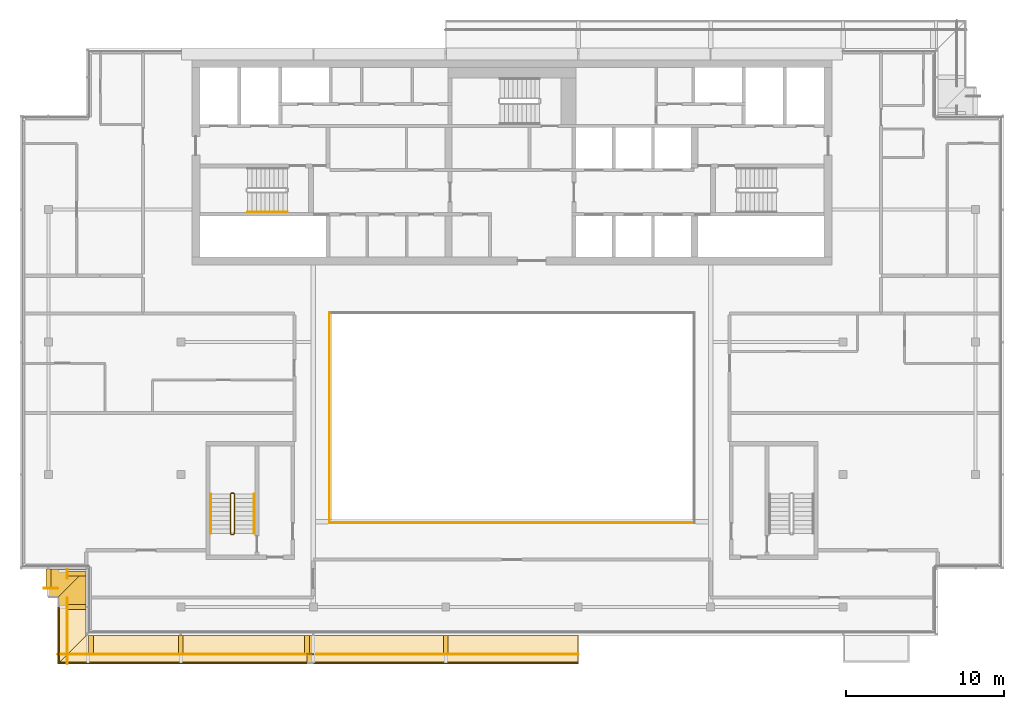
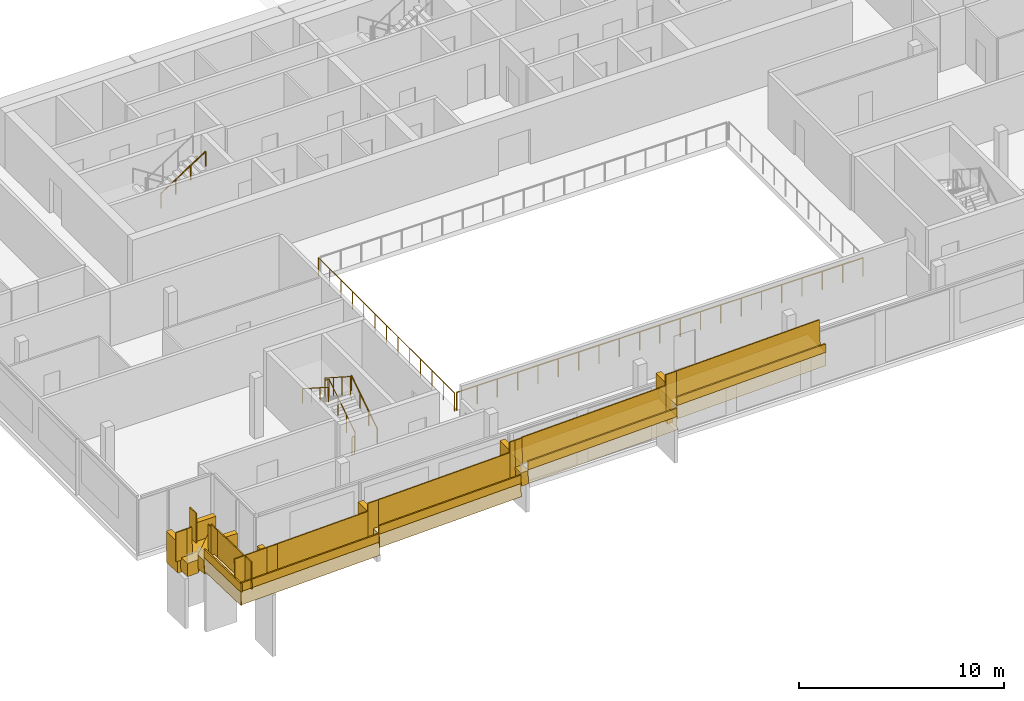
# One storey, part 18 of 22: 21 railings, 20 coverings.
"""IFC4 building model written with IfcOpenShell, lengths in metres."""

import ifcopenshell
import ifcopenshell.guid

model = None  # the IFC model being written
_history = None  # IfcOwnerHistory: only IFC2X3 demands one
_inside = {}  # id of a spatial element -> (the spatial element, [elements in it])
_under = {}  # id of a project, library or spatial element -> (it, [spatial elements below it])
_declared = {}  # id of a project -> (the project, [libraries it declares])
_typed = {}  # id of a type object -> (the type object, [elements of that type])
_made_of = {}  # id of a material, layer set ... -> (it, [elements and type objects made of it])


def new_model(schema):
    """Start an empty IFC model of exactly this schema.

    Asked for "IFC4X3", IfcOpenShell would pick the latest addendum, in which some entities
    have other attributes; the version numbers below select the first issue.
    IFC2X3 requires an IfcOwnerHistory on every rooted entity: one is made here for all.
    """
    global model, _history
    if schema == "IFC4X3":
        model = ifcopenshell.file(schema_version=(4, 3, 0, 0))
    else:
        model = ifcopenshell.file(schema=schema)
    _inside.clear()
    _under.clear()
    _declared.clear()
    _typed.clear()
    _made_of.clear()
    _history = None
    if model.schema == "IFC2X3":
        org = make("IfcOrganization", Name="unknown")
        user = make(
            "IfcPersonAndOrganization",
            ThePerson=make("IfcPerson", FamilyName="unknown"),
            TheOrganization=org,
        )
        app = make(
            "IfcApplication",
            ApplicationDeveloper=org,
            Version="unknown",
            ApplicationFullName="unknown",
            ApplicationIdentifier="unknown",
        )
        _history = make(
            "IfcOwnerHistory",
            OwningUser=user,
            OwningApplication=app,
            ChangeAction="ADDED",
            CreationDate=0,
        )
    return model


def make(cls, **values):
    """One entity of the class cls with the attributes given. An attribute that is None is left unset."""
    return model.create_entity(
        cls, **{name: value for name, value in values.items() if value is not None}
    )


def rooted(cls, **values):
    """An entity with a GlobalId (a new one), such as an element, a storey or a relation."""
    return make(cls, GlobalId=ifcopenshell.guid.new(), OwnerHistory=_history, **values)


def si_unit(unit_type, name, prefix=None):
    """IfcSIUnit, for example si_unit("LENGTHUNIT", "METRE", prefix="MILLI")."""
    return make("IfcSIUnit", UnitType=unit_type, Prefix=prefix, Name=name)


def assignment(units):
    """IfcUnitAssignment: the units of a project."""
    return None if units is None else make("IfcUnitAssignment", Units=units)


def point(xyz):
    """IfcCartesianPoint."""
    return None if xyz is None else make("IfcCartesianPoint", Coordinates=xyz)


def direction(xyz):
    """IfcDirection."""
    return None if xyz is None else make("IfcDirection", DirectionRatios=xyz)


def frame(location, z_axis=None, x_axis=None):
    """IfcAxis2Placement3D, a coordinate frame: its origin and axes. An axis left out is left unset."""
    return make(
        "IfcAxis2Placement3D",
        Location=point(location),
        Axis=direction(z_axis),
        RefDirection=direction(x_axis),
    )


def frame_2d(location, x_axis=None):
    """IfcAxis2Placement2D, a coordinate frame in the plane: its origin and x axis."""
    return make(
        "IfcAxis2Placement2D", Location=point(location), RefDirection=direction(x_axis)
    )


def origin():
    """The frame at (0, 0, 0) with its axes left unset."""
    return frame((0.0, 0.0, 0.0))


def origin_2d():
    """The frame at (0, 0) in the plane with its x axis left unset."""
    return frame_2d((0.0, 0.0))


def place(relative_to, where):
    """IfcLocalPlacement: puts the frame where relative to a parent placement (None: the world)."""
    return make(
        "IfcLocalPlacement", PlacementRelTo=relative_to, RelativePlacement=where
    )


def context(
    kind, dimensions, precision=None, world=None, true_north=None, identifier=None
):
    """IfcGeometricRepresentationContext, for example the 3D "Model" context."""
    return make(
        "IfcGeometricRepresentationContext",
        ContextIdentifier=identifier,
        ContextType=kind,
        CoordinateSpaceDimension=dimensions,
        Precision=precision,
        WorldCoordinateSystem=world,
        TrueNorth=true_north,
    )


def subcontext(parent, identifier, kind, view, scale=None):
    """IfcGeometricRepresentationSubContext, for example "Body" below "Model"."""
    return make(
        "IfcGeometricRepresentationSubContext",
        ContextIdentifier=identifier,
        ContextType=kind,
        ParentContext=parent,
        TargetScale=scale,
        TargetView=view,
    )


def project(units=None, contexts=None):
    """IfcProject with its units and contexts."""
    return rooted(
        "IfcProject",
        Name="project",
        RepresentationContexts=contexts,
        UnitsInContext=assignment(units),
    )


def spatial(cls, under=None, at=None, **own):
    """A site, building, storey or space (cls), placed at a placement, below another one or the project."""
    s = rooted(cls, ObjectPlacement=at, **own)
    if under is not None:
        _under.setdefault(under.id(), (under, []))[1].append(s)
    return s


def polyline(points):
    """IfcPolyline through the points."""
    return make("IfcPolyline", Points=[point(p) for p in points])


def profile(cls, at=None, kind="AREA", **sizes):
    """A parametric profile (cls). Its sizes go by their IFC names, for example OverallWidth=200.0."""
    return make(cls, ProfileType=kind, Position=at, **sizes)


def rectangle(**sizes):
    """IfcRectangleProfileDef."""
    return profile("IfcRectangleProfileDef", **sizes)


def circle(**sizes):
    """IfcCircleProfileDef."""
    return profile("IfcCircleProfileDef", **sizes)


def outline(outer, holes=None, kind="AREA"):
    """IfcArbitraryClosedProfileDef: a profile drawn as a closed curve; with holes, ...WithVoids."""
    if holes is None:
        return make("IfcArbitraryClosedProfileDef", ProfileType=kind, OuterCurve=outer)
    return make(
        "IfcArbitraryProfileDefWithVoids",
        ProfileType=kind,
        OuterCurve=outer,
        InnerCurves=holes,
    )


def extrude(swept, where, along, depth):
    """IfcExtrudedAreaSolid: the profile swept, set in the frame where, extruded along a direction by depth."""
    return make(
        "IfcExtrudedAreaSolid",
        SweptArea=swept,
        Position=where,
        ExtrudedDirection=direction(along),
        Depth=depth,
    )


def shape(context_of_items, identifier, shape_type, items):
    """IfcShapeRepresentation: the items that make up one representation, for example the "Body"."""
    return make(
        "IfcShapeRepresentation",
        ContextOfItems=context_of_items,
        RepresentationIdentifier=identifier,
        RepresentationType=shape_type,
        Items=items,
    )


def material(Name=None, Category=None):
    """IfcMaterial."""
    return make("IfcMaterial", Name=Name, Category=Category)


def layer(
    of_material, thickness, ventilated=None, Name=None, Category=None, Priority=None
):
    """IfcMaterialLayer: one layer of a wall or slab, of a material (None: an air gap)."""
    return make(
        "IfcMaterialLayer",
        Material=of_material,
        LayerThickness=thickness,
        IsVentilated=ventilated,
        Name=Name,
        Category=Category,
        Priority=Priority,
    )


def layer_set(layers, Name=None):
    """IfcMaterialLayerSet."""
    return make("IfcMaterialLayerSet", MaterialLayers=layers, LayerSetName=Name)


def made_of(thing, what):
    """Note that an element or type object is made of a material, layer set ...; save() writes the relation."""
    if what is not None:
        _made_of.setdefault(what.id(), (what, []))[1].append(thing)
    return thing


def type_object(cls, material=None, **own):
    """A type object (cls), such as IfcWallType, which elements share."""
    return made_of(rooted(cls, **own), material)


def element(
    cls,
    number,
    at=None,
    inside=None,
    cuts=None,
    type_object=None,
    material=None,
    context=None,
    identifier="Body",
    shape_type=None,
    held_by="IfcProductDefinitionShape",
    body=None,
    shapes=None,
    **own,
):
    """One element of the class cls, such as IfcWall. Its Tag is "e" and its number.

    at: its placement. inside: the storey or other place that contains it. cuts: it is an
    opening in that element (IfcRelVoidsElement). A single representation is given by context,
    identifier, shape_type and body (its items); several are given by shapes. held_by: the class
    of the entity that holds the representations. save() writes the other relations.
    """
    e = rooted(cls, Tag="e%d" % number, ObjectPlacement=at, **own)
    if body is not None:
        shapes = [shape(context, identifier, shape_type, body)]
    if shapes is not None:
        e.Representation = make(held_by, Representations=shapes)
    if inside is not None:
        _inside.setdefault(inside.id(), (inside, []))[1].append(e)
    if cuts is not None:
        rooted(
            "IfcRelVoidsElement", RelatingBuildingElement=cuts, RelatedOpeningElement=e
        )
    if type_object is not None:
        _typed.setdefault(type_object.id(), (type_object, []))[1].append(e)
    return made_of(e, material)


def aggregate(whole, parts):
    """IfcRelAggregates: a whole, such as a stair, and the parts it consists of."""
    return rooted("IfcRelAggregates", RelatingObject=whole, RelatedObjects=parts)


def save(model, path):
    """Write the relations noted so far, then the file.

    IfcRelAggregates (storeys below a building ...), IfcRelContainedInSpatialStructure (elements
    in a storey), IfcRelDefinesByType, IfcRelAssociatesMaterial and IfcRelDeclares: one each for
    every whole, place, type object, material and project.
    """
    for whole, parts in _under.values():
        aggregate(whole, parts)
    for where, things in _inside.values():
        rooted(
            "IfcRelContainedInSpatialStructure",
            RelatedElements=things,
            RelatingStructure=where,
        )
    for kind, things in _typed.values():
        rooted("IfcRelDefinesByType", RelatedObjects=things, RelatingType=kind)
    for what, things in _made_of.values():
        rooted("IfcRelAssociatesMaterial", RelatedObjects=things, RelatingMaterial=what)
    for by, libraries in _declared.values():
        rooted("IfcRelDeclares", RelatingContext=by, RelatedDefinitions=libraries)
    model.write(path)


model = new_model("IFC4")

# Units and contexts
model_context = context("Model", 3, precision=1e-05, world=origin(), true_north=direction((0.0, 1.0)))
body_context = subcontext(model_context, "Body", "Model", "MODEL_VIEW")
ifc_project = project(units=[si_unit("LENGTHUNIT", "METRE"), si_unit("AREAUNIT", "SQUARE_METRE"), si_unit("VOLUMEUNIT", "CUBIC_METRE"), si_unit("PLANEANGLEUNIT", "RADIAN"), si_unit("MASSUNIT", "GRAM", prefix="KILO")], contexts=[model_context])

# Site, building, storey
site_placement = place(None, origin())
site = spatial("IfcSite", under=ifc_project, at=site_placement, CompositionType="ELEMENT")
building_placement = place(site_placement, origin())
building = spatial("IfcBuilding", under=site, at=building_placement, Name="Saffron Gate Tower", CompositionType="ELEMENT")
storey_placement = place(building_placement, frame((0.0, 0.0, 295.949951171875)))
storey = spatial("IfcBuildingStorey", under=building, at=storey_placement, Name="L72", CompositionType="ELEMENT", Elevation=295.949951171875)

# Railings
ifc_material_1 = material(Name="Stainless steel and laminated glass", Category="steel")
railing_type_1 = type_object("IfcRailingType", Name="AG1 Atrium edge guard 1100", PredefinedType="GUARDRAIL", material=ifc_material_1)
railing_1_placement = place(storey_placement, frame((76.02001953125, 45.5400390625, 0.0)))
element("IfcRailing", 1, at=railing_1_placement, inside=storey, type_object=railing_type_1, Name="Guard E5-1", PredefinedType="GUARDRAIL", context=body_context, shape_type="SweptSolid", body=[
    extrude(circle(Radius=0.02392578125, at=origin_2d()), frame((0.0, 0.0, 1.076171875), z_axis=(0.0, 1.0, 0.0), x_axis=(-1.0, 0.0, 0.0)), (0.0, 0.0, 1.0), 13.320068359375),
    extrude(circle(Radius=0.02099609375, at=origin_2d()), origin(), (0.0, 0.0, 1.0), 1.052001953125),
    extrude(circle(Radius=0.02099609375, at=origin_2d()), frame((0.0, 1.110107421875, 0.0)), (0.0, 0.0, 1.0), 1.052001953125),
    extrude(circle(Radius=0.02099609375, at=origin_2d()), frame((0.0, 2.219970703125, 0.0)), (0.0, 0.0, 1.0), 1.052001953125),
    extrude(circle(Radius=0.02099609375, at=origin_2d()), frame((0.0, 3.330078125, 0.0)), (0.0, 0.0, 1.0), 1.052001953125),
    extrude(circle(Radius=0.02099609375, at=origin_2d()), frame((0.0, 4.43994140625, 0.0)), (0.0, 0.0, 1.0), 1.052001953125),
    extrude(circle(Radius=0.02099609375, at=origin_2d()), frame((0.0, 5.550048828125, 0.0)), (0.0, 0.0, 1.0), 1.052001953125),
    extrude(circle(Radius=0.02099609375, at=origin_2d()), frame((0.0, 6.66015625, 0.0)), (0.0, 0.0, 1.0), 1.052001953125),
    extrude(circle(Radius=0.02099609375, at=origin_2d()), frame((0.0, 7.77001953125, 0.0)), (0.0, 0.0, 1.0), 1.052001953125),
    extrude(circle(Radius=0.02099609375, at=origin_2d()), frame((0.0, 8.880126953125, 0.0)), (0.0, 0.0, 1.0), 1.052001953125),
    extrude(circle(Radius=0.02099609375, at=origin_2d()), frame((0.0, 9.989990234375, 0.0)), (0.0, 0.0, 1.0), 1.052001953125),
    extrude(circle(Radius=0.02099609375, at=origin_2d()), frame((0.0, 11.10009765625, 0.0)), (0.0, 0.0, 1.0), 1.052001953125),
    extrude(circle(Radius=0.02099609375, at=origin_2d()), frame((0.0, 12.2099609375, 0.0)), (0.0, 0.0, 1.0), 1.052001953125),
    extrude(circle(Radius=0.02099609375, at=origin_2d()), frame((0.0, 13.320068359375, 0.0)), (0.0, 0.0, 1.0), 1.052001953125),
])
railing_2_placement = place(storey_placement, frame((99.06005859375, 45.5400390625, 0.0)))
element("IfcRailing", 2, at=railing_2_placement, inside=storey, type_object=railing_type_1, Name="Guard E5-4", PredefinedType="GUARDRAIL", context=body_context, shape_type="SweptSolid", body=[
    extrude(circle(Radius=0.02392578125, at=origin_2d()), frame((0.0, 0.0, 1.076171875), z_axis=(-1.0, 0.0, 0.0), x_axis=(0.0, -1.0, 0.0)), (0.0, 0.0, 1.0), 22.920166015625),
    extrude(circle(Radius=0.02099609375, at=origin_2d()), origin(), (0.0, 0.0, 1.0), 1.052001953125),
    extrude(circle(Radius=0.02099609375, at=origin_2d()), frame((-1.14599609375, 0.0, 0.0)), (0.0, 0.0, 1.0), 1.052001953125),
    extrude(circle(Radius=0.02099609375, at=origin_2d()), frame((-2.2919921875, 0.0, 0.0)), (0.0, 0.0, 1.0), 1.052001953125),
    extrude(circle(Radius=0.02099609375, at=origin_2d()), frame((-3.43798828125, 0.0, 0.0)), (0.0, 0.0, 1.0), 1.052001953125),
    extrude(circle(Radius=0.02099609375, at=origin_2d()), frame((-4.583984375, 0.0, 0.0)), (0.0, 0.0, 1.0), 1.052001953125),
    extrude(circle(Radius=0.02099609375, at=origin_2d()), frame((-5.72998046875, 0.0, 0.0)), (0.0, 0.0, 1.0), 1.052001953125),
    extrude(circle(Radius=0.02099609375, at=origin_2d()), frame((-6.8759765625, 0.0, 0.0)), (0.0, 0.0, 1.0), 1.052001953125),
    extrude(circle(Radius=0.02099609375, at=origin_2d()), frame((-8.02197265625, 0.0, 0.0)), (0.0, 0.0, 1.0), 1.052001953125),
    extrude(circle(Radius=0.02099609375, at=origin_2d()), frame((-9.16796875, 0.0, 0.0)), (0.0, 0.0, 1.0), 1.052001953125),
    extrude(circle(Radius=0.02099609375, at=origin_2d()), frame((-10.31396484375, 0.0, 0.0)), (0.0, 0.0, 1.0), 1.052001953125),
    extrude(circle(Radius=0.02099609375, at=origin_2d()), frame((-11.4599609375, 0.0, 0.0)), (0.0, 0.0, 1.0), 1.052001953125),
    extrude(circle(Radius=0.02099609375, at=origin_2d()), frame((-12.606201171875, 0.0, 0.0)), (0.0, 0.0, 1.0), 1.052001953125),
    extrude(circle(Radius=0.02099609375, at=origin_2d()), frame((-13.752197265625, 0.0, 0.0)), (0.0, 0.0, 1.0), 1.052001953125),
    extrude(circle(Radius=0.02099609375, at=origin_2d()), frame((-14.898193359375, 0.0, 0.0)), (0.0, 0.0, 1.0), 1.052001953125),
    extrude(circle(Radius=0.02099609375, at=origin_2d()), frame((-16.044189453125, 0.0, 0.0)), (0.0, 0.0, 1.0), 1.052001953125),
    extrude(circle(Radius=0.02099609375, at=origin_2d()), frame((-17.190185546875, 0.0, 0.0)), (0.0, 0.0, 1.0), 1.052001953125),
    extrude(circle(Radius=0.02099609375, at=origin_2d()), frame((-18.336181640625, 0.0, 0.0)), (0.0, 0.0, 1.0), 1.052001953125),
    extrude(circle(Radius=0.02099609375, at=origin_2d()), frame((-19.482177734375, 0.0, 0.0)), (0.0, 0.0, 1.0), 1.052001953125),
    extrude(circle(Radius=0.02099609375, at=origin_2d()), frame((-20.628173828125, 0.0, 0.0)), (0.0, 0.0, 1.0), 1.052001953125),
    extrude(circle(Radius=0.02099609375, at=origin_2d()), frame((-21.774169921875, 0.0, 0.0)), (0.0, 0.0, 1.0), 1.052001953125),
    extrude(circle(Radius=0.02099609375, at=origin_2d()), frame((-22.920166015625, 0.0, 0.0)), (0.0, 0.0, 1.0), 1.052001953125),
])
railing_type_2 = type_object("IfcRailingType", Name="CR1 Stair guard 1100", PredefinedType="GUARDRAIL", material=ifc_material_1)
railing_3_placement = place(storey_placement, frame((69.800048828125, 44.800048828125, 0.0)))
element("IfcRailing", 3, at=railing_3_placement, inside=storey, type_object=railing_type_2, Name="L72 ST-D stair guard 1", PredefinedType="GUARDRAIL", context=body_context, shape_type="SweptSolid", body=[
    extrude(circle(Radius=0.02392578125, at=origin_2d()), frame((0.0, 0.0, 1.076171875), z_axis=(1.0, 0.0, 0.0), x_axis=(0.0, 1.0, 0.0)), (0.0, 0.0, 1.0), 0.14990234375),
    extrude(circle(Radius=0.02392578125, at=origin_2d()), frame((0.14990234375, 0.0, 1.076171875), z_axis=(0.258847668887, 0.258847668887, 0.930588936439), x_axis=(-0.707106781187, 0.707106781187, 0.0)), (0.0, 0.0, 1.0), 0.193359375),
    extrude(circle(Radius=0.02392578125, at=origin_2d()), frame((0.199951171875, 0.050048828125, 1.255859375), z_axis=(0.0, 0.841162588446, 0.540782303519), x_axis=(-1.0, 0.0, 0.0)), (0.0, 0.0, 1.0), 2.995849609375),
    extrude(circle(Radius=0.02392578125, at=origin_2d()), frame((0.199951171875, 2.570068359375, 2.8759765625), z_axis=(-0.708833529934, 0.705375805398, 0.0), x_axis=(-0.705375805398, -0.708833529934, 0.0)), (0.0, 0.0, 1.0), 0.070556640625),
    extrude(circle(Radius=0.02392578125, at=origin_2d()), frame((0.14990234375, 2.619873046875, 2.8759765625), z_axis=(-1.0, 0.0, 0.0), x_axis=(0.0, -1.0, 0.0)), (0.0, 0.0, 1.0), 0.14990234375),
    extrude(circle(Radius=0.02392578125, at=origin_2d()), frame((0.0, 2.619873046875, 2.8759765625), z_axis=(-0.258932105505, -0.257669022063, 0.930892496375), x_axis=(0.705375805398, -0.708833529934, 0.0)), (0.0, 0.0, 1.0), 0.193359375),
    extrude(circle(Radius=0.02392578125, at=origin_2d()), frame((-0.050048828125, 2.570068359375, 3.05615234375), z_axis=(0.0, -0.841162588446, 0.540782303519), x_axis=(1.0, 0.0, 0.0)), (0.0, 0.0, 1.0), 2.995849609375),
    extrude(circle(Radius=0.02099609375, at=origin_2d()), origin(), (0.0, 0.0, 1.0), 1.052001953125),
    extrude(circle(Radius=0.02099609375, at=origin_2d()), frame((0.14990234375, 0.0, 0.0)), (0.0, 0.0, 1.0), 1.052001953125),
    extrude(circle(Radius=0.02099609375, at=origin_2d()), frame((0.199951171875, 0.050048828125, 0.179931640625)), (0.0, 0.0, 1.0), 1.052001953125),
    extrude(circle(Radius=0.02099609375, at=origin_2d()), frame((0.199951171875, 0.89013671875, 0.719970703125)), (0.0, 0.0, 1.0), 1.052001953125),
    extrude(circle(Radius=0.02099609375, at=origin_2d()), frame((0.199951171875, 1.72998046875, 1.260009765625)), (0.0, 0.0, 1.0), 1.052001953125),
    extrude(circle(Radius=0.02099609375, at=origin_2d()), frame((0.199951171875, 2.570068359375, 1.800048828125)), (0.0, 0.0, 1.0), 1.052001953125),
    extrude(circle(Radius=0.02099609375, at=origin_2d()), frame((0.14990234375, 2.619873046875, 1.800048828125)), (0.0, 0.0, 1.0), 1.052001953125),
    extrude(circle(Radius=0.02099609375, at=origin_2d()), frame((0.0, 2.619873046875, 1.800048828125)), (0.0, 0.0, 1.0), 1.052001953125),
    extrude(circle(Radius=0.02099609375, at=origin_2d()), frame((-0.050048828125, 2.570068359375, 1.97998046875)), (0.0, 0.0, 1.0), 1.052001953125),
    extrude(circle(Radius=0.02099609375, at=origin_2d()), frame((-0.050048828125, 1.72998046875, 2.52001953125)), (0.0, 0.0, 1.0), 1.052001953125),
    extrude(circle(Radius=0.02099609375, at=origin_2d()), frame((-0.050048828125, 0.89013671875, 3.06005859375)), (0.0, 0.0, 1.0), 1.052001953125),
    extrude(circle(Radius=0.02099609375, at=origin_2d()), frame((-0.050048828125, 0.050048828125, 3.60009765625)), (0.0, 0.0, 1.0), 1.052001953125),
])
ifc_material_2 = material(Name="Stainless steel", Category="steel")
railing_type_3 = type_object("IfcRailingType", Name="CR2 Stair handrail 900", PredefinedType="HANDRAIL", material=ifc_material_2)
railing_4_placement = place(storey_placement, frame((70.830078125, 65.25, 1.97998046875)))
element("IfcRailing", 4, at=railing_4_placement, inside=storey, type_object=railing_type_3, Name="L72 ST-A stair handrail 2", PredefinedType="HANDRAIL", context=body_context, shape_type="SweptSolid", body=[
    extrude(circle(Radius=0.02392578125, at=origin_2d()), frame((0.0, 0.0, 0.8759765625), z_axis=(0.841162588446, 0.0, 0.540782303519), x_axis=(0.0, 1.0, 0.0)), (0.0, 0.0, 1.0), 2.995849609375),
    extrude(circle(Radius=0.02099609375, at=origin_2d()), origin(), (0.0, 0.0, 1.0), 0.851806640625),
    extrude(circle(Radius=0.02099609375, at=origin_2d()), frame((0.840087890625, 0.0, 0.5400390625)), (0.0, 0.0, 1.0), 0.851806640625),
    extrude(circle(Radius=0.02099609375, at=origin_2d()), frame((1.679931640625, 0.0, 1.080078125)), (0.0, 0.0, 1.0), 0.851806640625),
    extrude(circle(Radius=0.02099609375, at=origin_2d()), frame((2.52001953125, 0.0, 1.6201171875)), (0.0, 0.0, 1.0), 0.851806640625),
])
railing_5_placement = place(storey_placement, frame((71.25, 44.85009765625, 0.179931640625)))
element("IfcRailing", 5, at=railing_5_placement, inside=storey, type_object=railing_type_3, Name="L72 ST-D stair handrail 1", PredefinedType="HANDRAIL", context=body_context, shape_type="SweptSolid", body=[
    extrude(circle(Radius=0.02392578125, at=origin_2d()), frame((0.0, 0.0, 0.8759765625), z_axis=(0.0, 0.841162588446, 0.540782303519), x_axis=(-1.0, 0.0, 0.0)), (0.0, 0.0, 1.0), 2.995849609375),
    extrude(circle(Radius=0.02099609375, at=origin_2d()), origin(), (0.0, 0.0, 1.0), 0.851806640625),
    extrude(circle(Radius=0.02099609375, at=origin_2d()), frame((0.0, 0.840087890625, 0.5400390625)), (0.0, 0.0, 1.0), 0.851806640625),
    extrude(circle(Radius=0.02099609375, at=origin_2d()), frame((0.0, 1.679931640625, 1.080078125)), (0.0, 0.0, 1.0), 0.851806640625),
    extrude(circle(Radius=0.02099609375, at=origin_2d()), frame((0.0, 2.52001953125, 1.6201171875)), (0.0, 0.0, 1.0), 0.851806640625),
])
railing_6_placement = place(storey_placement, frame((68.5, 47.3701171875, 1.97998046875)))
element("IfcRailing", 6, at=railing_6_placement, inside=storey, type_object=railing_type_3, Name="L72 ST-D stair handrail 2", PredefinedType="HANDRAIL", context=body_context, shape_type="SweptSolid", body=[
    extrude(circle(Radius=0.02392578125, at=origin_2d()), frame((0.0, 0.0, 0.8759765625), z_axis=(0.0, -0.841162588446, 0.540782303519), x_axis=(1.0, 0.0, 0.0)), (0.0, 0.0, 1.0), 2.995849609375),
    extrude(circle(Radius=0.02099609375, at=origin_2d()), origin(), (0.0, 0.0, 1.0), 0.851806640625),
    extrude(circle(Radius=0.02099609375, at=origin_2d()), frame((0.0, -0.840087890625, 0.5400390625)), (0.0, 0.0, 1.0), 0.851806640625),
    extrude(circle(Radius=0.02099609375, at=origin_2d()), frame((0.0, -1.679931640625, 1.080078125)), (0.0, 0.0, 1.0), 0.851806640625),
    extrude(circle(Radius=0.02099609375, at=origin_2d()), frame((0.0, -2.52001953125, 1.6201171875)), (0.0, 0.0, 1.0), 0.851806640625),
])

# Coverings
ifc_material_3 = material(Name="Timber, thermally modified ash", Category="wood")
ifc_layer_1 = layer(ifc_material_3, 0.800048828125)
ifc_layer_set_1 = layer_set([ifc_layer_1], Name="LD1 ledge timber")
covering_type_1 = type_object("IfcCoveringType", Name="LD1 ledge timber", PredefinedType="CLADDING", material=ifc_layer_set_1)
covering_1_placement = place(storey_placement, frame((58.199951171875, 42.60009765625, 0.024658203125), z_axis=(-0.028794305201, 2.6333678e-05, 0.999585357683), x_axis=(0.99958535803, 5.2e-10, 0.028794305211)))
element("IfcCovering", 7, at=covering_1_placement, inside=storey, type_object=covering_type_1, Name="LEDGE", PredefinedType="CLADDING", context=body_context, shape_type="SweptSolid", body=[
    extrude(outline(polyline([(0.0, 0.0), (2.401140733194568, 0.0), (0.6003479496762917, -1.8000488290612322), (-9.357805408281585e-10, -1.8000488275008664), (0.0, 0.0)])), origin(), (0.0, 0.0, -1.0), 0.800048828125),
])
covering_2_placement = place(storey_placement, frame((60.60009765625, 42.60009765625, 0.28076171875), z_axis=(7.83279e-07, 0.028875577331, 0.999583013578), x_axis=(0.0, -0.999583013578, 0.028875577331)))
element("IfcCovering", 8, at=covering_2_placement, inside=storey, type_object=covering_type_1, Name="LEDGE", PredefinedType="CLADDING", context=body_context, shape_type="SweptSolid", body=[
    extrude(outline(polyline([(0.0, 0.0), (2.4011477711054536, 6.617444900424222e-24), (2.4011477711062814, -1.8000488281244476), (1.8007998186244996, -1.800048828125828), (0.0, 0.0)])), origin(), (0.0, 0.0, -1.0), 0.800048828125),
])
covering_3_placement = place(storey_placement, frame((60.60009765625, 40.199951171875, 0.536865234375), z_axis=(-4.3887651e-05, 0.028833291474, 0.999584233257), x_axis=(1.925e-09, -0.99958423422, 0.028833291502)))
element("IfcCovering", 9, at=covering_3_placement, inside=storey, type_object=covering_type_1, Name="LEDGE", PredefinedType="CLADDING", context=body_context, shape_type="SweptSolid", body=[
    extrude(outline(polyline([(0.0, 0.0), (1.8007998168930421, -4.235164736271502e-22), (3.6013485518229187, -1.800048836792318), (-3.4656747156665518e-09, -1.8000488263914396), (0.0, 0.0)])), origin(), (0.0, 0.0, -1.0), 0.800048828125),
])
covering_4_placement = place(storey_placement, frame((60.60009765625, 38.39990234375, 0.72900390625), z_axis=(-0.028789477025, 2.3920834e-05, 0.999585496814), x_axis=(0.9995854971, -1.72e-10, 0.028789477033)))
element("IfcCovering", 10, at=covering_4_placement, inside=storey, type_object=covering_type_1, Name="LEDGE", PredefinedType="CLADDING", context=body_context, shape_type="SweptSolid", body=[
    extrude(outline(polyline([(0.0, 0.0), (6.002489288687248, -8.470329472543003e-22), (6.002489288996045, -1.7998046869850703), (-1.800792782710612, -1.7998046893537554), (0.0, 0.0)])), origin(), (0.0, 0.0, -1.0), 0.800048828125),
])
covering_5_placement = place(storey_placement, frame((66.60009765625, 38.39990234375, 1.369384765625), z_axis=(-0.028796646555, 0.0, 0.999585290582), x_axis=(0.999585290582, 0.0, 0.028796646555)))
element("IfcCovering", 11, at=covering_5_placement, inside=storey, type_object=covering_type_1, Name="LEDGE", PredefinedType="CLADDING", context=body_context, shape_type="SweptSolid", body=[
    extrude(outline(polyline([(0.0, 0.0), (8.003319051788862, 0.0), (8.003319051788862, -1.7998046875), (0.0, -1.7998046875), (0.0, 0.0)])), origin(), (0.0, 0.0, -1.0), 0.800048828125),
])
covering_6_placement = place(storey_placement, frame((74.60009765625, 38.39990234375, 2.22314453125), z_axis=(-0.028681724025, 0.0, 0.999588594726), x_axis=(0.999588594726, 0.0, 0.028681724025)))
element("IfcCovering", 12, at=covering_6_placement, inside=storey, type_object=covering_type_1, Name="LEDGE", PredefinedType="CLADDING", context=body_context, shape_type="SweptSolid", body=[
    extrude(outline(polyline([(0.0, 0.0), (0.40006693339621563, 0.0), (0.40006693339621563, -1.7998046875000004), (0.0, -1.7998046875000004), (0.0, 0.0)])), origin(), (0.0, 0.0, -1.0), 0.800048828125),
])
covering_7_placement = place(storey_placement, frame((75.0, 38.39990234375, 2.265869140625), z_axis=(-0.028791175352, 0.0, 0.999585448184), x_axis=(0.999585448184, 0.0, 0.028791175352)))
element("IfcCovering", 13, at=covering_7_placement, inside=storey, type_object=covering_type_1, Name="LEDGE", PredefinedType="CLADDING", context=body_context, shape_type="SweptSolid", body=[
    extrude(outline(polyline([(0.0, 0.0), (8.403385982666892, 0.0), (8.403385982666892, -1.7998046875), (0.0, -1.7998046875), (0.0, 0.0)])), origin(), (0.0, 0.0, -1.0), 0.800048828125),
])
covering_8_placement = place(storey_placement, frame((83.39990234375, 38.39990234375, 3.162109375), z_axis=(-0.028819366951, 0.0, 0.999584635781), x_axis=(0.999584635781, 0.0, 0.028819366951)))
element("IfcCovering", 14, at=covering_8_placement, inside=storey, type_object=covering_type_1, Name="LEDGE", PredefinedType="CLADDING", context=body_context, shape_type="SweptSolid", body=[
    extrude(outline(polyline([(0.0, 0.0), (8.403637054520734, 0.0), (8.403637054520734, -1.7998046874999998), (0.0, -1.7998046874999998), (0.0, 0.0)])), origin(), (0.0, 0.0, -1.0), 0.800048828125),
])
ifc_layer_2 = layer(ifc_material_3, 0.080078125)
ifc_layer_set_2 = layer_set([ifc_layer_2], Name="LD2 ledge planter trough")
covering_type_2 = type_object("IfcCoveringType", Name="LD2 ledge planter trough", PredefinedType="CLADDING", material=ifc_layer_set_2)
covering_9_placement = place(storey_placement, frame((58.800048828125, 40.199951171875, 0.536865234375), z_axis=(-1.0, 0.0, 0.0), x_axis=(0.0, -0.999584866472, 0.028811364412)))
element("IfcCovering", 15, at=covering_9_placement, inside=storey, type_object=covering_type_2, Name="LEDGE planter trough", PredefinedType="CLADDING", context=body_context, shape_type="SweptSolid", body=[
    extrude(outline(polyline([(0.0, 0.0), (3.601348556155073, 0.0), (3.6157542383609322, 0.49979243323622236), (0.01440568220585924, 0.49979243323622236), (0.0, 0.0)])), origin(), (0.0, 0.0, -1.0), 0.080078125),
])
covering_10_placement = place(storey_placement, frame((58.800048828125, 36.60009765625, 0.67724609375), z_axis=(0.0, -1.0, 0.0), x_axis=(0.999585655924, 0.0, 0.028783962047)))
element("IfcCovering", 16, at=covering_10_placement, inside=storey, type_object=covering_type_2, Name="LEDGE planter trough", PredefinedType="CLADDING", context=body_context, shape_type="SweptSolid", body=[
    extrude(outline(polyline([(0.0, 0.0), (7.803282071825423, 2.7755575615628914e-17), (7.817674052849086, 0.4997928279619612), (0.014391981023662846, 0.4997928279619612), (0.0, 0.0)])), origin(), (0.0, 0.0, -1.0), 0.080078125),
])
covering_11_placement = place(storey_placement, frame((66.60009765625, 36.60009765625, 1.369384765625), z_axis=(0.0, -1.0, 0.0), x_axis=(0.999585290582, 0.0, 0.028796646555)))
element("IfcCovering", 17, at=covering_11_placement, inside=storey, type_object=covering_type_2, Name="LEDGE planter trough", PredefinedType="CLADDING", context=body_context, shape_type="SweptSolid", body=[
    extrude(outline(polyline([(0.0, 0.0), (8.003319051788862, 0.0), (8.017717375066283, 0.4997926452908234), (0.014398323277421184, 0.49979264529082346), (0.0, 0.0)])), origin(), (0.0, 0.0, -1.0), 0.080078125),
])
covering_12_placement = place(storey_placement, frame((75.0, 36.60009765625, 2.265869140625), z_axis=(0.0, -1.0, 0.0), x_axis=(0.999585448184, 0.0, 0.028791175352)))
element("IfcCovering", 18, at=covering_12_placement, inside=storey, type_object=covering_type_2, Name="LEDGE planter trough", PredefinedType="CLADDING", context=body_context, shape_type="SweptSolid", body=[
    extrude(outline(polyline([(0.0, 0.0), (8.403385982666892, 0.0), (8.417781570342743, 0.49979272409216496), (0.014395587675851172, 0.4997927240921649), (0.0, 0.0)])), origin(), (0.0, 0.0, -1.0), 0.080078125),
])
covering_13_placement = place(storey_placement, frame((83.39990234375, 36.60009765625, 3.162109375), z_axis=(0.0, -1.0, 0.0), x_axis=(0.999584635781, 0.0, 0.028819366951)))
element("IfcCovering", 19, at=covering_13_placement, inside=storey, type_object=covering_type_2, Name="LEDGE planter trough", PredefinedType="CLADDING", context=body_context, shape_type="SweptSolid", body=[
    extrude(outline(polyline([(0.0, 0.0), (8.403637054520734, 2.7755575615628914e-17), (8.418046737996397, 0.49979231789027256), (0.014409683475663392, 0.4997923178902725), (0.0, 0.0)])), origin(), (0.0, 0.0, -1.0), 0.080078125),
])
ifc_layer_3 = layer(ifc_material_3, 0.300048828125)
ifc_layer_set_3 = layer_set([ifc_layer_3], Name="LD3 ledge riser fin")
covering_type_3 = type_object("IfcCoveringType", Name="LD3 ledge riser fin", PredefinedType="CLADDING", material=ifc_layer_set_3)
covering_14_placement = place(storey_placement, frame((58.199951171875, 42.0400390625, -0.91552734375), z_axis=(0.0, 0.0, 1.0), x_axis=(1.0, 0.0, 0.0)))
element("IfcCovering", 20, at=covering_14_placement, inside=storey, type_object=covering_type_3, Name="LEDGE riser fin", PredefinedType="CLADDING", context=body_context, shape_type="SweptSolid", body=[
    extrude(rectangle(XDim=0.300048828125, YDim=1.1201171875, at=origin_2d()), origin(), (0.0, 0.0, 1.0), 1.84033203125),
])
for number, where, z_axis, x_axis, name in (
    (21, (60.0400390625, 42.300048828125, -0.7060546875), (0.0, 0.0, 1.0), (0.0, -1.0, 0.0), "LEDGE riser fin"),
    (22, (60.0400390625, 40.199951171875, -0.4501953125), (0.0, 0.0, 1.0), (0.0, -1.0, 0.0), "LEDGE riser fin"),
):
    element("IfcCovering", number, at=place(storey_placement, frame(where, z_axis=z_axis, x_axis=x_axis)), inside=storey, type_object=covering_type_3, Name=name, PredefinedType="CLADDING", context=body_context, shape_type="SweptSolid", body=[
        extrude(rectangle(XDim=0.300048828125, YDim=1.1201171875, at=origin_2d()), origin(), (0.0, 0.0, 1.0), 1.886962890625),
    ])
covering_15_placement = place(storey_placement, frame((60.89990234375, 37.840087890625, -0.211181640625), z_axis=(0.0, 0.0, 1.0), x_axis=(1.0, 0.0, 0.0)))
element("IfcCovering", 23, at=covering_15_placement, inside=storey, type_object=covering_type_3, Name="LEDGE riser fin", PredefinedType="CLADDING", context=body_context, shape_type="SweptSolid", body=[
    extrude(rectangle(XDim=0.300048828125, YDim=1.1201171875, at=origin_2d()), origin(), (0.0, 0.0, 1.0), 1.84033203125),
])
covering_16_placement = place(storey_placement, frame((66.60009765625, 37.840087890625, 0.101806640625), z_axis=(0.0, 0.0, 1.0), x_axis=(1.0, 0.0, 0.0)))
element("IfcCovering", 24, at=covering_16_placement, inside=storey, type_object=covering_type_3, Name="LEDGE riser fin", PredefinedType="CLADDING", context=body_context, shape_type="SweptSolid", body=[
    extrude(rectangle(XDim=0.300048828125, YDim=1.1201171875, at=origin_2d()), origin(), (0.0, 0.0, 1.0), 2.16748046875),
])
covering_17_placement = place(storey_placement, frame((74.60009765625, 37.840087890625, 0.7998046875), z_axis=(0.0, 0.0, 1.0), x_axis=(1.0, 0.0, 0.0)))
element("IfcCovering", 25, at=covering_17_placement, inside=storey, type_object=covering_type_3, Name="LEDGE riser fin", PredefinedType="CLADDING", context=body_context, shape_type="SweptSolid", body=[
    extrude(rectangle(XDim=0.300048828125, YDim=1.1201171875, at=origin_2d()), origin(), (0.0, 0.0, 1.0), 2.3232421875),
])
covering_18_placement = place(storey_placement, frame((83.39990234375, 37.840087890625, 1.707763671875), z_axis=(0.0, 0.0, 1.0), x_axis=(1.0, 0.0, 0.0)))
element("IfcCovering", 26, at=covering_18_placement, inside=storey, type_object=covering_type_3, Name="LEDGE riser fin", PredefinedType="CLADDING", context=body_context, shape_type="SweptSolid", body=[
    extrude(rectangle(XDim=0.300048828125, YDim=1.1201171875, at=origin_2d()), origin(), (0.0, 0.0, 1.0), 2.3544921875),
])

# Railings
railing_type_4 = type_object("IfcRailingType", Name="LG1 ledge balustrade", PredefinedType="BALUSTRADE", material=ifc_material_3)
railing_7_placement = place(storey_placement, frame((58.199951171875, 41.39990234375, 0.024658203125)))
element("IfcRailing", 27, at=railing_7_placement, inside=storey, type_object=railing_type_4, Name="LEDGE BALUSTRADE", PredefinedType="BALUSTRADE", context=body_context, shape_type="SweptSolid", body=[
    extrude(rectangle(XDim=0.06005859375, YDim=1.60009765625, at=origin_2d()), frame((0.0, 0.0, 0.800048828125), z_axis=(0.999583081391, 0.0, 0.028873229772), x_axis=(0.0, 1.0, 0.0)), (0.0, 0.0, 1.0), 0.600341796875),
])
railing_8_placement = place(storey_placement, frame((57.89990234375, 41.39990234375, -0.115478515625)))
element("IfcRailing", 28, at=railing_8_placement, inside=storey, type_object=railing_type_4, Name="LEDGE BALUSTRADE", PredefinedType="BALUSTRADE", context=body_context, shape_type="SweptSolid", body=[
    extrude(rectangle(XDim=0.06005859375, YDim=1.740234375, at=origin_2d()), frame((0.0, 0.0, 0.8701171875), z_axis=(1.0, 0.0, 0.0), x_axis=(0.0, 1.0, 0.0)), (0.0, 0.0, 1.0), 0.60009765625),
])
railing_9_placement = place(storey_placement, frame((59.39990234375, 40.800048828125, 0.332763671875)))
element("IfcRailing", 29, at=railing_9_placement, inside=storey, type_object=railing_type_4, Name="LEDGE BALUSTRADE", PredefinedType="BALUSTRADE", context=body_context, shape_type="SweptSolid", body=[
    extrude(rectangle(XDim=0.06005859375, YDim=1.60009765625, at=origin_2d()), frame((0.0, 0.0, 0.800048828125), z_axis=(0.0, -0.999583081391, 0.028873229772), x_axis=(1.0, 0.0, 0.0)), (0.0, 0.0, 1.0), 0.600341796875),
])
railing_10_placement = place(storey_placement, frame((59.39990234375, 42.60009765625, 0.09375)))
element("IfcRailing", 30, at=railing_10_placement, inside=storey, type_object=railing_type_4, Name="LEDGE BALUSTRADE", PredefinedType="BALUSTRADE", context=body_context, shape_type="SweptSolid", body=[
    extrude(rectangle(XDim=0.06005859375, YDim=1.787109375, at=origin_2d()), frame((0.0, 0.0, 0.8935546875), z_axis=(0.0, -1.0, 0.0), x_axis=(1.0, 0.0, 0.0)), (0.0, 0.0, 1.0), 0.60009765625),
])
railing_11_placement = place(storey_placement, frame((59.39990234375, 40.199951171875, 0.536865234375)))
element("IfcRailing", 31, at=railing_11_placement, inside=storey, type_object=railing_type_4, Name="LEDGE BALUSTRADE", PredefinedType="BALUSTRADE", context=body_context, shape_type="SweptSolid", body=[
    extrude(rectangle(XDim=0.06005859375, YDim=1.60009765625, at=origin_2d()), frame((0.0, 0.0, 0.800048828125), z_axis=(0.0, -0.999584866472, 0.028811364412), x_axis=(1.0, 0.0, 0.0)), (0.0, 0.0, 1.0), 3.601318359375),
])
railing_12_placement = place(storey_placement, frame((59.39990234375, 40.5, 0.35009765625)))
element("IfcRailing", 32, at=railing_12_placement, inside=storey, type_object=railing_type_4, Name="LEDGE BALUSTRADE", PredefinedType="BALUSTRADE", context=body_context, shape_type="SweptSolid", body=[
    extrude(rectangle(XDim=0.06005859375, YDim=1.787109375, at=origin_2d()), frame((0.0, 0.0, 0.8935546875), z_axis=(0.0, -1.0, 0.0), x_axis=(1.0, 0.0, 0.0)), (0.0, 0.0, 1.0), 0.60009765625),
])
railing_13_placement = place(storey_placement, frame((58.800048828125, 37.199951171875, 0.67724609375)))
element("IfcRailing", 33, at=railing_13_placement, inside=storey, type_object=railing_type_4, Name="LEDGE BALUSTRADE", PredefinedType="BALUSTRADE", context=body_context, shape_type="SweptSolid", body=[
    extrude(rectangle(XDim=0.06005859375, YDim=1.60009765625, at=origin_2d()), frame((0.0, 0.0, 0.800048828125), z_axis=(0.999585655924, 0.0, 0.028783962047), x_axis=(0.0, 1.0, 0.0)), (0.0, 0.0, 1.0), 7.80322265625),
])
railing_14_placement = place(storey_placement, frame((60.60009765625, 37.199951171875, 0.5888671875)))
element("IfcRailing", 34, at=railing_14_placement, inside=storey, type_object=railing_type_4, Name="LEDGE BALUSTRADE", PredefinedType="BALUSTRADE", context=body_context, shape_type="SweptSolid", body=[
    extrude(rectangle(XDim=0.06005859375, YDim=1.740234375, at=origin_2d()), frame((0.0, 0.0, 0.8701171875), z_axis=(1.0, 0.0, 0.0), x_axis=(0.0, 1.0, 0.0)), (0.0, 0.0, 1.0), 0.599853515625),
])
railing_15_placement = place(storey_placement, frame((66.60009765625, 37.199951171875, 1.369384765625)))
element("IfcRailing", 35, at=railing_15_placement, inside=storey, type_object=railing_type_4, Name="LEDGE BALUSTRADE", PredefinedType="BALUSTRADE", context=body_context, shape_type="SweptSolid", body=[
    extrude(rectangle(XDim=0.06005859375, YDim=1.60009765625, at=origin_2d()), frame((0.0, 0.0, 0.800048828125), z_axis=(0.999585290582, 0.0, 0.028796646555), x_axis=(0.0, 1.0, 0.0)), (0.0, 0.0, 1.0), 8.00341796875),
])
railing_16_placement = place(storey_placement, frame((66.300048828125, 37.199951171875, 0.90185546875)))
element("IfcRailing", 36, at=railing_16_placement, inside=storey, type_object=railing_type_4, Name="LEDGE BALUSTRADE", PredefinedType="BALUSTRADE", context=body_context, shape_type="SweptSolid", body=[
    extrude(rectangle(XDim=0.06005859375, YDim=2.0673828125, at=origin_2d()), frame((0.0, 0.0, 1.03369140625), z_axis=(1.0, 0.0, 0.0), x_axis=(0.0, 1.0, 0.0)), (0.0, 0.0, 1.0), 0.599853515625),
])
railing_17_placement = place(storey_placement, frame((74.60009765625, 37.199951171875, 2.22314453125)))
element("IfcRailing", 37, at=railing_17_placement, inside=storey, type_object=railing_type_4, Name="LEDGE BALUSTRADE", PredefinedType="BALUSTRADE", context=body_context, shape_type="SweptSolid", body=[
    extrude(rectangle(XDim=0.06005859375, YDim=1.60009765625, at=origin_2d()), frame((0.0, 0.0, 0.800048828125), z_axis=(0.999588594726, 0.0, 0.028681724025), x_axis=(0.0, 1.0, 0.0)), (0.0, 0.0, 1.0), 0.400146484375),
])
railing_18_placement = place(storey_placement, frame((74.300048828125, 37.199951171875, 1.599853515625)))
element("IfcRailing", 38, at=railing_18_placement, inside=storey, type_object=railing_type_4, Name="LEDGE BALUSTRADE", PredefinedType="BALUSTRADE", context=body_context, shape_type="SweptSolid", body=[
    extrude(rectangle(XDim=0.06005859375, YDim=2.223388671875, at=origin_2d()), frame((0.0, 0.0, 1.11181640625), z_axis=(1.0, 0.0, 0.0), x_axis=(0.0, 1.0, 0.0)), (0.0, 0.0, 1.0), 0.599853515625),
])
railing_19_placement = place(storey_placement, frame((75.0, 37.199951171875, 2.265869140625)))
element("IfcRailing", 39, at=railing_19_placement, inside=storey, type_object=railing_type_4, Name="LEDGE BALUSTRADE", PredefinedType="BALUSTRADE", context=body_context, shape_type="SweptSolid", body=[
    extrude(rectangle(XDim=0.06005859375, YDim=1.60009765625, at=origin_2d()), frame((0.0, 0.0, 0.800048828125), z_axis=(0.999585448184, 0.0, 0.028791175352), x_axis=(0.0, 1.0, 0.0)), (0.0, 0.0, 1.0), 8.4033203125),
])
railing_20_placement = place(storey_placement, frame((83.39990234375, 37.199951171875, 3.162109375)))
element("IfcRailing", 40, at=railing_20_placement, inside=storey, type_object=railing_type_4, Name="LEDGE BALUSTRADE", PredefinedType="BALUSTRADE", context=body_context, shape_type="SweptSolid", body=[
    extrude(rectangle(XDim=0.06005859375, YDim=1.60009765625, at=origin_2d()), frame((0.0, 0.0, 0.800048828125), z_axis=(0.999584635781, 0.0, 0.028819366951), x_axis=(0.0, 1.0, 0.0)), (0.0, 0.0, 1.0), 8.403564453125),
])
railing_21_placement = place(storey_placement, frame((83.10009765625, 37.199951171875, 2.5078125)))
element("IfcRailing", 41, at=railing_21_placement, inside=storey, type_object=railing_type_4, Name="LEDGE BALUSTRADE", PredefinedType="BALUSTRADE", context=body_context, shape_type="SweptSolid", body=[
    extrude(rectangle(XDim=0.06005859375, YDim=2.25439453125, at=origin_2d()), frame((0.0, 0.0, 1.127197265625), z_axis=(1.0, 0.0, 0.0), x_axis=(0.0, 1.0, 0.0)), (0.0, 0.0, 1.0), 0.599853515625),
])

save(model, "model.ifc")
